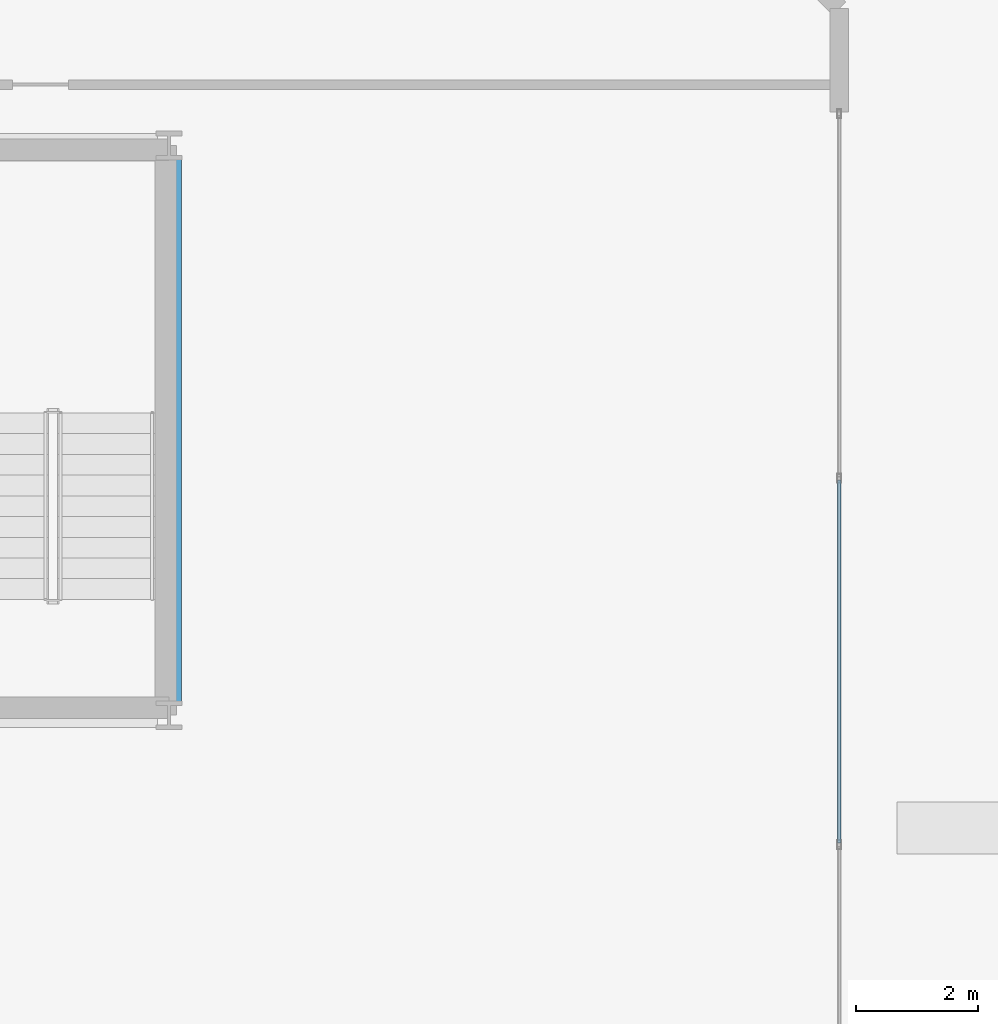
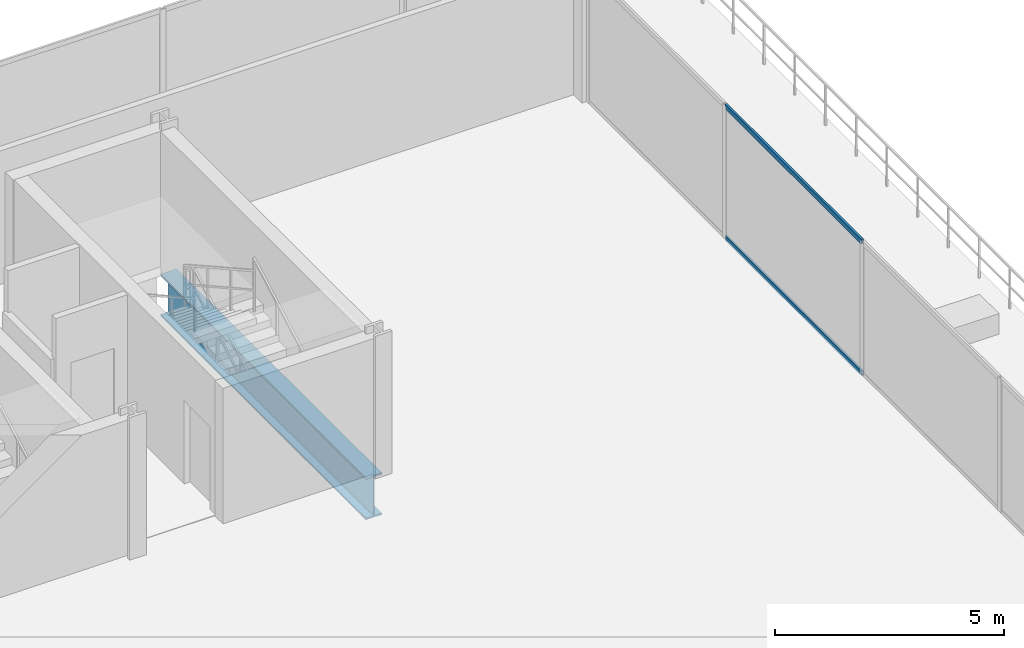
# One storey, part 11 of 19: 2 members, 1 beam, 1 element without a shape of its own.
"""IFC4 building model written with IfcOpenShell, lengths in metres."""

from ifc_helpers import new_model, si_unit, direction, frame, origin, origin_2d, place, context, subcontext, project, spatial, hollow_rectangle, i_section, extrude, material, layer, layer_set, material_profile, profile_set, type_object, element, aggregate, save


model = new_model("IFC4")

# Units and contexts
model_context = context("Model", 3, precision=1e-05, world=origin(), true_north=direction((0.0, 1.0)))
body_context = subcontext(model_context, "Body", "Model", "MODEL_VIEW")
ifc_project = project(units=[si_unit("LENGTHUNIT", "METRE"), si_unit("AREAUNIT", "SQUARE_METRE"), si_unit("VOLUMEUNIT", "CUBIC_METRE"), si_unit("PLANEANGLEUNIT", "RADIAN"), si_unit("MASSUNIT", "GRAM", prefix="KILO")], contexts=[model_context])

# Site, building, storey
site_placement = place(None, origin())
site = spatial("IfcSite", under=ifc_project, at=site_placement, CompositionType="ELEMENT")
building_placement = place(site_placement, origin())
building = spatial("IfcBuilding", under=site, at=building_placement, Name="Zuhayl Quay Hotel", CompositionType="ELEMENT")
storey_placement = place(building_placement, frame((0.0, 0.0, 304.85009765625)))
storey = spatial("IfcBuildingStorey", under=building, at=storey_placement, Name="Crown 3", CompositionType="ELEMENT", Elevation=304.85009765625)

# Beam
ifc_material_1 = material(Name="Steel ASTM A913 Grade 65", Category="steel")
ifc_material_profile_1 = material_profile(ifc_material_1, i_section(OverallWidth=0.404052734375, OverallDepth=1.117919921875, WebThickness=0.026123046875, FlangeThickness=0.044921875, at=origin_2d()), Name="W44X335")
ifc_profile_set_1 = profile_set([ifc_material_profile_1], Name="Steel ASTM A913 Grade 65")
beam_type = type_object("IfcBeamType", Name="BM_TG1_W44X335", PredefinedType="BEAM", material=ifc_profile_set_1)
beam_placement = place(storey_placement, frame((1.60009765625, 25.2900390625, -0.799072265625), z_axis=(0.0, 1.0, 0.0), x_axis=(-1.0, 0.0, 0.0)))
element("IfcBeam", 1, at=beam_placement, inside=storey, type_object=beam_type, Name="Crown 3 Floor Beam CR_NS_3_3", PredefinedType="BEAM", context=body_context, shape_type="SweptSolid", body=[
    extrude(i_section(OverallWidth=0.404052734375, OverallDepth=1.117919921875, WebThickness=0.026123046875, FlangeThickness=0.044921875, at=origin_2d()), origin(), (0.0, 0.0, 1.0), 8.969970703125),
])

# Curtain wall, members
ifc_material_2 = material(Name="Anodised Aluminium 6063-T6", Category="aluminium")
ifc_layer = layer(ifc_material_2, 0.159912109375, Name="Anodised Aluminium 6063-T6", Category="aluminium")
ifc_layer_set = layer_set([ifc_layer], Name="Anodised Aluminium 6063-T6")
curtain_wall_type = type_object("IfcCurtainWallType", Name="CW_SYS_CRN", PredefinedType="USERDEFINED", material=ifc_layer_set)
curtain_wall_placement = place(storey_placement, origin())
curtain_wall = element("IfcCurtainWall", 2, at=curtain_wall_placement, inside=storey, type_object=curtain_wall_type, Name="Crown 3 Curtain Wall ENV_CR3_E5_CW1", ObjectType="UNITISED CURTAIN WALL", PredefinedType="USERDEFINED")
ifc_material_3 = material(Name="Black-anodised aluminium 6063-T6", Category="aluminium")
ifc_material_profile_2 = material_profile(ifc_material_3, hollow_rectangle(XDim=0.054931640625, YDim=0.1298828125, WallThickness=0.0029296875, at=origin_2d()), Name="ALU130X55")
ifc_profile_set_2 = profile_set([ifc_material_profile_2], Name="Black-anodised aluminium 6063-T6")
member_type = type_object("IfcMemberType", Name="MB_CW_TRN_130", PredefinedType="USERDEFINED", material=ifc_profile_set_2)
member_1_placement = place(storey_placement, frame((12.60009765625, 28.95751953125, 0.02734375), z_axis=(0.0, -1.0, 0.0), x_axis=(1.0, 0.0, 0.0)))
member_1 = element("IfcMember", 3, at=member_1_placement, type_object=member_type, Name="CW-CRN transom 2.1", ObjectType="TRANSOM", PredefinedType="USERDEFINED", context=body_context, shape_type="SweptSolid", body=[
    extrude(hollow_rectangle(XDim=0.054931640625, YDim=0.1298828125, WallThickness=0.0029296875, at=origin_2d()), origin(), (0.0, 0.0, 1.0), 5.95263671875),
])
member_2_placement = place(storey_placement, frame((12.60009765625, 28.95751953125, 3.532470703125), z_axis=(0.0, -1.0, 0.0), x_axis=(1.0, 0.0, 0.0)))
member_2 = element("IfcMember", 4, at=member_2_placement, type_object=member_type, Name="CW-CRN transom 2.2", ObjectType="TRANSOM", PredefinedType="USERDEFINED", context=body_context, shape_type="SweptSolid", body=[
    extrude(hollow_rectangle(XDim=0.054931640625, YDim=0.1298828125, WallThickness=0.0029296875, at=origin_2d()), origin(), (0.0, 0.0, 1.0), 5.95263671875),
])
aggregate(curtain_wall, [member_1, member_2])

save(model, "model.ifc")
